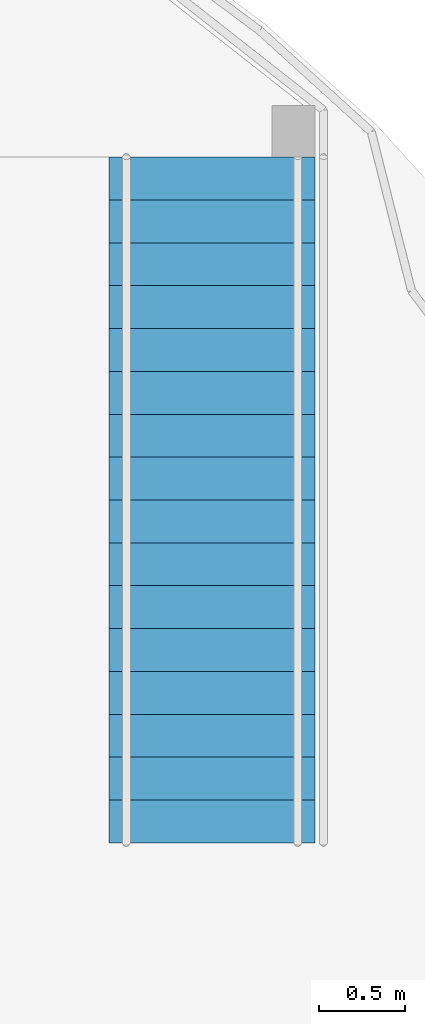
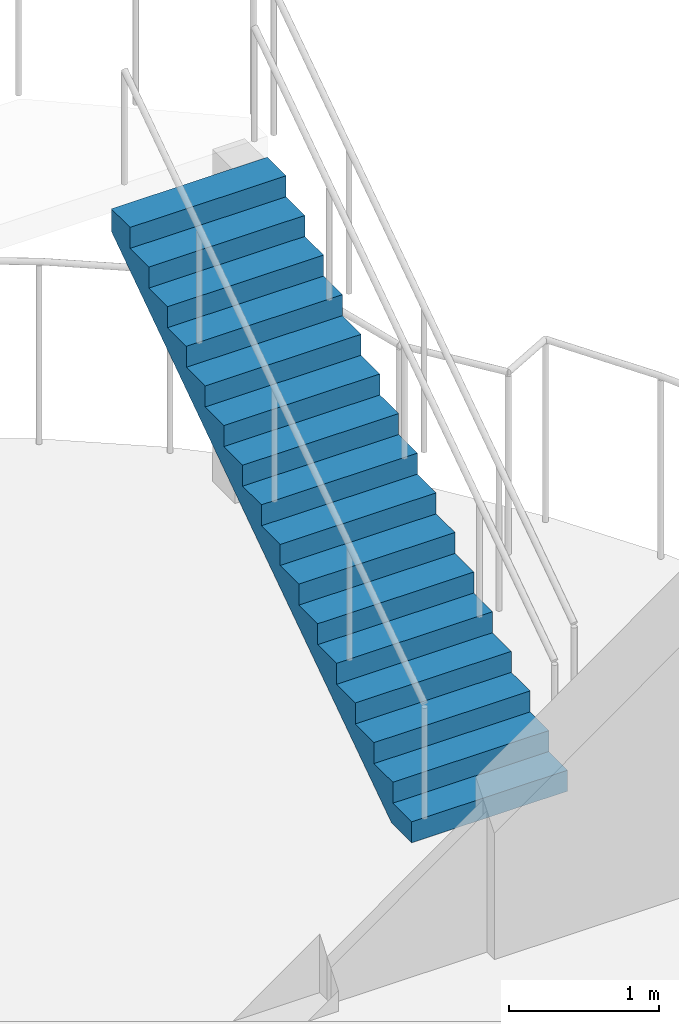
# One storey, part 2 of 4: 1 stair flight, 1 element without a shape of its own.
"""IFC4 building model written with IfcOpenShell, lengths in metres."""

from ifc_helpers import new_model, si_unit, direction, frame, origin, place, context, subcontext, project, spatial, polyline, outline, extrude, material, type_object, element, aggregate, save


model = new_model("IFC4")

# Units and contexts
model_context = context("Model", 3, precision=1e-05, world=origin(), true_north=direction((0.0, 1.0)))
body_context = subcontext(model_context, "Body", "Model", "MODEL_VIEW")
ifc_project = project(units=[si_unit("LENGTHUNIT", "METRE"), si_unit("AREAUNIT", "SQUARE_METRE"), si_unit("VOLUMEUNIT", "CUBIC_METRE"), si_unit("PLANEANGLEUNIT", "RADIAN"), si_unit("MASSUNIT", "GRAM", prefix="KILO")], contexts=[model_context])

# Site, building, storey
site_placement = place(None, origin())
site = spatial("IfcSite", under=ifc_project, at=site_placement, CompositionType="ELEMENT")
building_placement = place(site_placement, origin())
building = spatial("IfcBuilding", under=site, at=building_placement, Name="Fogline Exchange Tower", CompositionType="ELEMENT")
storey_placement = place(building_placement, frame((0.0, 0.0, 369.199951171875)))
storey = spatial("IfcBuildingStorey", under=building, at=storey_placement, Name="RF-2", CompositionType="ELEMENT", Elevation=369.199951171875)

# Stair, stair flight
ifc_material = material(Name="Steel Q355 grade B", Category="steel")
stair_type = type_object("IfcStairType", Name="HST3", PredefinedType="STRAIGHT_RUN_STAIR", material=ifc_material)
stair_placement = place(storey_placement, origin())
stair = element("IfcStair", 1, at=stair_placement, inside=storey, type_object=stair_type, Name="Helipad pad stair E lower flight", PredefinedType="STRAIGHT_RUN_STAIR")
stair_flight_type = type_object("IfcStairFlightType", Name="HF1", PredefinedType="STRAIGHT", material=ifc_material)
stair_flight_placement = place(storey_placement, frame((5.39990234375, 13.14990234375, 0.0), z_axis=(0.0, 0.0, 1.0), x_axis=(0.0, 1.0, 0.0)))
stair_flight = element("IfcStairFlight", 2, at=stair_flight_placement, type_object=stair_flight_type, Name="HS4 flight 1", NumberOfRisers=17, NumberOfTreads=16, PredefinedType="STRAIGHT", RiserHeight=0.170588235, TreadLength=0.25, context=body_context, shape_type="SweptSolid", body=[
    extrude(outline(polyline([(0.0, 0.0), (0.0, 0.170654296875), (0.25, 0.170654296875), (0.25, 0.341064453125), (0.5, 0.341064453125), (0.5, 0.51171875), (0.75, 0.51171875), (0.75, 0.682373046875), (1.0, 0.682373046875), (1.0, 0.85302734375), (1.25, 0.85302734375), (1.25, 1.0234375), (1.5, 1.0234375), (1.5, 1.194091796875), (1.75, 1.194091796875), (1.75, 1.36474609375), (2.0, 1.36474609375), (2.0, 1.535400390625), (2.25, 1.535400390625), (2.25, 1.705810546875), (2.5, 1.705810546875), (2.5, 1.87646484375), (2.75, 1.87646484375), (2.75, 2.047119140625), (3.0, 2.047119140625), (3.0, 2.217529296875), (3.25, 2.217529296875), (3.25, 2.38818359375), (3.5, 2.38818359375), (3.5, 2.558837890625), (3.75, 2.558837890625), (3.75, 2.7294921875), (4.0, 2.7294921875), (4.0, 2.89990234375), (4.0, 2.5478515625), (0.265869140625, 0.0), (0.0, 0.0)])), frame((0.0, 0.60009765625, 0.0), z_axis=(0.0, -1.0, 0.0), x_axis=(1.0, 0.0, 0.0)), (0.0, 0.0, 1.0), 1.199951171875),
])
aggregate(stair, [stair_flight])

save(model, "model.ifc")
